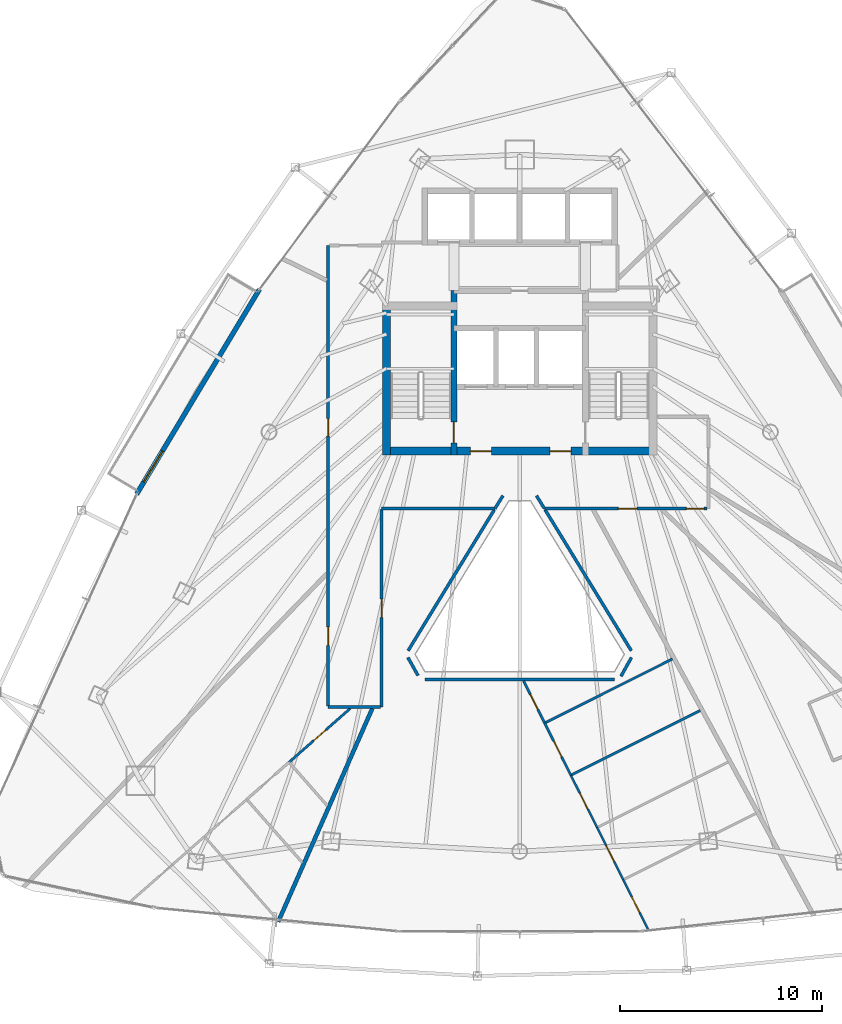
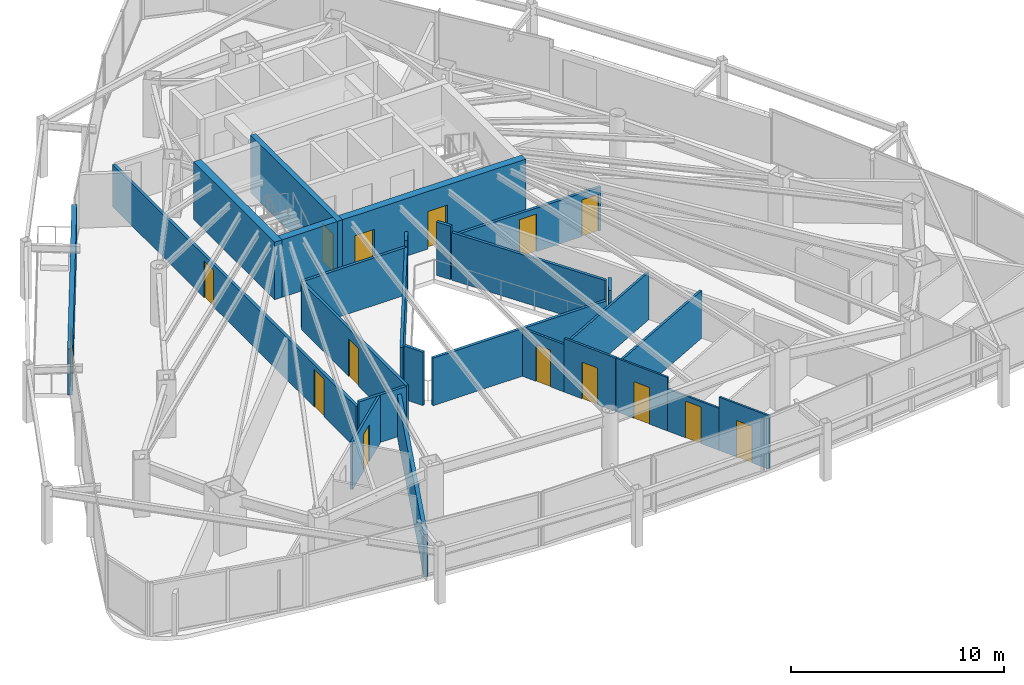
# One storey, part 26 of 31: 25 walls, 15 doors, 15 openings.
"""IFC4 building model written with IfcOpenShell, lengths in metres."""

from ifc_helpers import new_model, si_unit, direction, frame, frame_2d, origin, place, context, subcontext, project, spatial, rectangle, extrude, material, layer, layer_set, type_object, element, fill, save


model = new_model("IFC4")

# Units and contexts
model_context = context("Model", 3, precision=1e-05, world=origin(), true_north=direction((0.0, 1.0)))
body_context = subcontext(model_context, "Body", "Model", "MODEL_VIEW")
ifc_project = project(units=[si_unit("LENGTHUNIT", "METRE"), si_unit("AREAUNIT", "SQUARE_METRE"), si_unit("VOLUMEUNIT", "CUBIC_METRE"), si_unit("PLANEANGLEUNIT", "RADIAN"), si_unit("MASSUNIT", "GRAM", prefix="KILO")], contexts=[model_context])

# Site, building, storey
site_placement = place(None, origin())
site = spatial("IfcSite", under=ifc_project, at=site_placement, CompositionType="ELEMENT")
building_placement = place(site_placement, origin())
building = spatial("IfcBuilding", under=site, at=building_placement, Name="Orvanel Arch Residences", CompositionType="ELEMENT")
storey_placement = place(building_placement, frame((0.0, 0.0, 110.0)))
storey = spatial("IfcBuildingStorey", under=building, at=storey_placement, Name="L30", CompositionType="ELEMENT", Elevation=110.0)

# Wall, opening, door
ifc_material_1 = material(Name="Precast concrete N50 (50 MPa)", Category="concrete")
ifc_layer_1 = layer(ifc_material_1, 0.239990234375)
ifc_layer_set_1 = layer_set([ifc_layer_1], Name="Precast concrete N50 (50 MPa)")
wall_type_1 = type_object("IfcWallType", Name="EW-BAL-240", PredefinedType="SOLIDWALL", material=ifc_layer_set_1)
wall_1_placement = place(storey_placement, frame((20.094970703125, 34.718017578125, 0.0), z_axis=(0.0, 0.0, 1.0), x_axis=(-0.514362369366, -0.857572943242, 0.0)))
wall_1 = element("IfcWall", 1, at=wall_1_placement, inside=storey, type_object=wall_type_1, Name="L30 Balcony Threshold Wall Face 1", PredefinedType="SOLIDWALL", context=body_context, shape_type="SweptSolid", body=[
    extrude(rectangle(XDim=11.84375, YDim=0.239990234375, at=frame_2d((5.921875, 0.0))), origin(), (0.0, 0.0, 1.0), 2.6240234375),
])
opening_1_placement = place(wall_1_placement, frame((9.345947265625, 0.0, 0.0)))
opening_1 = element("IfcOpeningElement", 2, at=opening_1_placement, cuts=wall_1, Name="Opening DB-180", PredefinedType="OPENING", context=body_context, shape_type="SweptSolid", body=[
    extrude(rectangle(XDim=1.800048828125, YDim=2.199951171875, at=frame_2d((0.89990234375, 1.10009765625))), frame((0.0, 0.1298828125, 0.0), z_axis=(0.0, -1.0, 0.0), x_axis=(1.0, 0.0, 0.0)), (0.0, 0.0, 1.0), 0.260009765625),
])
ifc_material_2 = material(Name="Bronze-anodised aluminium AA6063-T6", Category="aluminium")
door_type_1 = type_object("IfcDoorType", Name="DR-BAL-1800", OperationType="NOTDEFINED", PredefinedType="DOOR", material=ifc_material_2)
door_1_placement = place(opening_1_placement, origin())
door_1 = element("IfcDoor", 3, at=door_1_placement, inside=storey, type_object=door_type_1, Name="DR-L30-BAL-F1 L30 Planted Balcony Access Door Face 1", OperationType="SINGLE_SWING_RIGHT", OverallHeight=2.199951171875, OverallWidth=1.800048828125, PredefinedType="DOOR", context=body_context, shape_type="SweptSolid", body=[
    extrude(rectangle(XDim=1.800048828125, YDim=2.199951171875, at=frame_2d((0.89990234375, 1.10009765625))), frame((0.0, 0.02490234375, 0.0), z_axis=(0.0, -1.0, 0.0), x_axis=(1.0, 0.0, 0.0)), (0.0, 0.0, 1.0), 0.050048828125),
])
fill(opening_1, door_1)

ifc_material_3 = material(Name="Concrete S65 (65 MPa)", Category="concrete")
ifc_layer_2 = layer(ifc_material_3, 0.280029296875)
ifc_layer_set_2 = layer_set([ifc_layer_2], Name="Concrete S65 (65 MPa)")
wall_type_2 = type_object("IfcWallType", Name="SW-CORE-280", PredefinedType="SHEAR", material=ifc_layer_set_2)
wall_2_placement = place(storey_placement, frame((29.739990234375, 26.5, 0.0), z_axis=(0.0, 0.0, 1.0), x_axis=(0.0, 1.0, 0.0)))
wall_2 = element("IfcWall", 4, at=wall_2_placement, inside=storey, type_object=wall_type_2, Name="L30 West Inner Core Spine Shear Wall", PredefinedType="SHEAR", context=body_context, shape_type="SweptSolid", body=[
    extrude(rectangle(XDim=8.14990234375, YDim=0.280029296875, at=frame_2d((4.074951171875, 0.0))), origin(), (0.0, 0.0, 1.0), 3.300048828125),
])
opening_2_placement = place(wall_2_placement, frame((0.60009765625, 0.0, 0.0)))
opening_2 = element("IfcOpeningElement", 5, at=opening_2_placement, cuts=wall_2, Name="Opening DF-120", PredefinedType="OPENING", context=body_context, shape_type="SweptSolid", body=[
    extrude(rectangle(XDim=1.050048828125, YDim=2.14990234375, at=frame_2d((0.52490234375, 1.074951171875))), frame((0.0, 0.14990234375, 0.0), z_axis=(0.0, -1.0, 0.0), x_axis=(1.0, 0.0, 0.0)), (0.0, 0.0, 1.0), 0.300048828125),
])
ifc_material_4 = material(Name="Galvanised steel fire-resisting door assembly", Category="steel")
door_type_2 = type_object("IfcDoorType", Name="DR-FD120-1050", OperationType="NOTDEFINED", PredefinedType="DOOR", material=ifc_material_4)
door_2_placement = place(opening_2_placement, origin())
door_2 = element("IfcDoor", 6, at=door_2_placement, inside=storey, type_object=door_type_2, Name="DR-L30-ST1 L30 Stair 1 Fire Door", OperationType="SINGLE_SWING_LEFT", OverallHeight=2.14990234375, OverallWidth=1.050048828125, PredefinedType="DOOR", context=body_context, shape_type="SweptSolid", body=[
    extrude(rectangle(XDim=1.050048828125, YDim=2.14990234375, at=frame_2d((0.52490234375, 1.074951171875))), frame((0.0, 0.02490234375, 0.0), z_axis=(0.0, -1.0, 0.0), x_axis=(1.0, 0.0, 0.0)), (0.0, 0.0, 1.0), 0.050048828125),
])
fill(opening_2, door_2)

# Wall, openings, doors
ifc_layer_3 = layer(ifc_material_3, 0.39990234375)
ifc_layer_set_3 = layer_set([ifc_layer_3], Name="Concrete S65 (65 MPa)")
wall_type_3 = type_object("IfcWallType", Name="SW-CORE-400", PredefinedType="SHEAR", material=ifc_layer_set_3)
wall_3_placement = place(storey_placement, frame((26.199951171875, 26.699951171875, 0.0), z_axis=(0.0, 0.0, 1.0), x_axis=(1.0, 0.0, 0.0)))
wall_3 = element("IfcWall", 7, at=wall_3_placement, inside=storey, type_object=wall_type_3, Name="L30 South Core Shear Wall", PredefinedType="SHEAR", context=body_context, shape_type="SweptSolid", body=[
    extrude(rectangle(XDim=13.60009765625, YDim=0.39990234375, at=frame_2d((6.800048828125, 0.0))), origin(), (0.0, 0.0, 1.0), 3.300048828125),
])
opening_3_placement = place(wall_3_placement, frame((4.35009765625, 0.0, 0.0)))
opening_3 = element("IfcOpeningElement", 8, at=opening_3_placement, cuts=wall_3, Name="Opening DF-060", PredefinedType="OPENING", context=body_context, shape_type="SweptSolid", body=[
    extrude(rectangle(XDim=1.050048828125, YDim=2.14990234375, at=frame_2d((0.52490234375, 1.074951171875))), frame((0.0, 0.2099609375, 0.0), z_axis=(0.0, -1.0, 0.0), x_axis=(1.0, 0.0, 0.0)), (0.0, 0.0, 1.0), 0.419921875),
])
opening_4_placement = place(wall_3_placement, frame((8.300048828125, 0.0, 0.0)))
opening_4 = element("IfcOpeningElement", 9, at=opening_4_placement, cuts=wall_3, Name="Opening DF-060", PredefinedType="OPENING", context=body_context, shape_type="SweptSolid", body=[
    extrude(rectangle(XDim=1.050048828125, YDim=2.14990234375, at=frame_2d((0.52490234375, 1.074951171875))), frame((0.0, 0.2099609375, 0.0), z_axis=(0.0, -1.0, 0.0), x_axis=(1.0, 0.0, 0.0)), (0.0, 0.0, 1.0), 0.419921875),
])
door_type_3 = type_object("IfcDoorType", Name="DR-FD60-1050", OperationType="NOTDEFINED", PredefinedType="DOOR", material=ifc_material_4)
door_3_placement = place(opening_3_placement, origin())
door_3 = element("IfcDoor", 10, at=door_3_placement, inside=storey, type_object=door_type_3, Name="DR-L30-FFL-W L30 West Smoke Lobby Door", OperationType="SINGLE_SWING_LEFT", OverallHeight=2.14990234375, OverallWidth=1.050048828125, PredefinedType="DOOR", context=body_context, shape_type="SweptSolid", body=[
    extrude(rectangle(XDim=1.050048828125, YDim=2.14990234375, at=frame_2d((0.52490234375, 1.074951171875))), frame((0.0, 0.02490234375, 0.0), z_axis=(0.0, -1.0, 0.0), x_axis=(1.0, 0.0, 0.0)), (0.0, 0.0, 1.0), 0.050048828125),
])
fill(opening_3, door_3)
door_4_placement = place(opening_4_placement, origin())
door_4 = element("IfcDoor", 11, at=door_4_placement, inside=storey, type_object=door_type_3, Name="DR-L30-FFL-E L30 East Smoke Lobby Door", OperationType="SINGLE_SWING_RIGHT", OverallHeight=2.14990234375, OverallWidth=1.050048828125, PredefinedType="DOOR", context=body_context, shape_type="SweptSolid", body=[
    extrude(rectangle(XDim=1.050048828125, YDim=2.14990234375, at=frame_2d((0.52490234375, 1.074951171875))), frame((0.0, 0.02490234375, 0.0), z_axis=(0.0, -1.0, 0.0), x_axis=(1.0, 0.0, 0.0)), (0.0, 0.0, 1.0), 0.050048828125),
])
fill(opening_4, door_4)

# Walls
wall_4_placement = place(storey_placement, frame((26.39990234375, 26.5, 0.0), z_axis=(0.0, 0.0, 1.0), x_axis=(0.0, 1.0, 0.0)))
element("IfcWall", 12, at=wall_4_placement, inside=storey, type_object=wall_type_3, Name="L30 West Stair Shear Wall", PredefinedType="SHEAR", context=body_context, shape_type="SweptSolid", body=[
    extrude(rectangle(XDim=7.60009765625, YDim=0.39990234375, at=frame_2d((3.800048828125, 0.0))), origin(), (0.0, 0.0, 1.0), 3.300048828125),
])
ifc_material_5 = material(Name="Fire-rated plasterboard lined steel stud partition", Category="steel")
ifc_layer_4 = layer(ifc_material_5, 0.14990234375)
ifc_layer_set_4 = layer_set([ifc_layer_4], Name="Fire-rated plasterboard lined steel stud partition")
wall_type_4 = type_object("IfcWallType", Name="W-COR-150", PredefinedType="PARTITIONING", material=ifc_layer_set_4)
wall_5_placement = place(storey_placement, frame((32.169921875, 24.487060546875, 0.0), z_axis=(0.0, 0.0, 1.0), x_axis=(-0.527038486816, -0.849841416627, 0.0)))
element("IfcWall", 13, at=wall_5_placement, inside=storey, type_object=wall_type_4, Name="L30 Corridor Fire-Rated Partition", PredefinedType="PARTITIONING", context=body_context, shape_type="SweptSolid", body=[
    extrude(rectangle(XDim=0.74951171875, YDim=0.14990234375, at=frame_2d((0.374755859375, 0.0))), origin(), (0.0, 0.0, 1.0), 3.06005859375),
])
wall_6_placement = place(storey_placement, frame((31.77490234375, 23.85009765625, 0.0), z_axis=(0.0, 0.0, 1.0), x_axis=(-1.0, 0.0, 0.0)))
element("IfcWall", 14, at=wall_6_placement, inside=storey, type_object=wall_type_4, Name="L30 Corridor Fire-Rated Partition", PredefinedType="PARTITIONING", context=body_context, shape_type="SweptSolid", body=[
    extrude(rectangle(XDim=5.625, YDim=0.14990234375, at=frame_2d((2.8125, 0.0))), origin(), (0.0, 0.0, 1.0), 2.720947265625),
])

# Wall, opening, door
wall_7_placement = place(storey_placement, frame((26.14990234375, 23.7900390625, 0.0), z_axis=(0.0, 0.0, 1.0), x_axis=(0.0, -1.0, 0.0)))
wall_7 = element("IfcWall", 15, at=wall_7_placement, inside=storey, type_object=wall_type_4, Name="L30 Corridor Fire-Rated Partition", PredefinedType="PARTITIONING", context=body_context, shape_type="SweptSolid", body=[
    extrude(rectangle(XDim=9.7900390625, YDim=0.14990234375, at=frame_2d((4.89501953125, 0.0))), origin(), (0.0, 0.0, 1.0), 2.720947265625),
])
opening_5_placement = place(wall_7_placement, frame((4.43505859375, 0.0, 0.0)))
opening_5 = element("IfcOpeningElement", 16, at=opening_5_placement, cuts=wall_7, Name="Opening DA-092", PredefinedType="OPENING", context=body_context, shape_type="SweptSolid", body=[
    extrude(rectangle(XDim=0.919921875, YDim=2.14990234375, at=frame_2d((0.4599609375, 1.074951171875))), frame((0.0, 0.0849609375, 0.0), z_axis=(0.0, -1.0, 0.0), x_axis=(1.0, 0.0, 0.0)), (0.0, 0.0, 1.0), 0.169921875),
])
ifc_material_6 = material(Name="Solid-core European oak veneer fire door leaf", Category="wood")
door_type_4 = type_object("IfcDoorType", Name="DR-APT-920", OperationType="NOTDEFINED", PredefinedType="DOOR", material=ifc_material_6)
door_5_placement = place(opening_5_placement, origin())
door_5 = element("IfcDoor", 17, at=door_5_placement, inside=storey, type_object=door_type_4, Name="DR-L30-A-ENT L30 Studio A Entrance Door", OperationType="SINGLE_SWING_RIGHT", OverallHeight=2.14990234375, OverallWidth=0.919921875, PredefinedType="DOOR", context=body_context, shape_type="SweptSolid", body=[
    extrude(rectangle(XDim=0.919921875, YDim=2.14990234375, at=frame_2d((0.4599609375, 1.074951171875))), frame((0.0, 0.02490234375, 0.0), z_axis=(0.0, -1.0, 0.0), x_axis=(1.0, 0.0, 0.0)), (0.0, 0.0, 1.0), 0.050048828125),
])
fill(opening_5, door_5)

# Wall
wall_8_placement = place(storey_placement, frame((26.090087890625, 14.0, 0.0), z_axis=(0.0, 0.0, 1.0), x_axis=(-1.0, 0.0, 0.0)))
element("IfcWall", 18, at=wall_8_placement, inside=storey, type_object=wall_type_4, Name="L30 Corridor Fire-Rated Partition", PredefinedType="PARTITIONING", context=body_context, shape_type="SweptSolid", body=[
    extrude(rectangle(XDim=2.590087890625, YDim=0.14990234375, at=frame_2d((1.294921875, 0.0))), origin(), (0.0, 0.0, 1.0), 2.720947265625),
])

# Wall, openings, doors
wall_9_placement = place(storey_placement, frame((23.5, 14.06005859375, 0.0), z_axis=(0.0, 0.0, 1.0), x_axis=(0.0, 1.0, 0.0)))
wall_9 = element("IfcWall", 19, at=wall_9_placement, inside=storey, type_object=wall_type_4, Name="L30 Corridor Fire-Rated Partition", PredefinedType="PARTITIONING", context=body_context, shape_type="SweptSolid", body=[
    extrude(rectangle(XDim=22.83984375, YDim=0.14990234375, at=frame_2d((11.419921875, 0.0))), origin(), (0.0, 0.0, 1.0), 2.4130859375),
])
opening_6_placement = place(wall_9_placement, frame((13.373046875, 0.0, 0.0)))
opening_6 = element("IfcOpeningElement", 20, at=opening_6_placement, cuts=wall_9, Name="Opening DI-088", PredefinedType="OPENING", context=body_context, shape_type="SweptSolid", body=[
    extrude(rectangle(XDim=0.8798828125, YDim=2.10009765625, at=frame_2d((0.43994140625, 1.050048828125))), frame((0.0, 0.0849609375, 0.0), z_axis=(0.0, -1.0, 0.0), x_axis=(1.0, 0.0, 0.0)), (0.0, 0.0, 1.0), 0.169921875),
])
opening_7_placement = place(wall_9_placement, frame((3.001953125, 0.0, 0.0)))
opening_7 = element("IfcOpeningElement", 21, at=opening_7_placement, cuts=wall_9, Name="Opening DA-092", PredefinedType="OPENING", context=body_context, shape_type="SweptSolid", body=[
    extrude(rectangle(XDim=0.919921875, YDim=2.14990234375, at=frame_2d((0.4599609375, 1.074951171875))), frame((0.0, 0.0849609375, 0.0), z_axis=(0.0, -1.0, 0.0), x_axis=(1.0, 0.0, 0.0)), (0.0, 0.0, 1.0), 0.169921875),
])
door_6_placement = place(opening_7_placement, origin())
door_6 = element("IfcDoor", 22, at=door_6_placement, inside=storey, type_object=door_type_4, Name="DR-L30-E-ENT L30 Flat E Entrance Door", OperationType="SINGLE_SWING_RIGHT", OverallHeight=2.14990234375, OverallWidth=0.919921875, PredefinedType="DOOR", context=body_context, shape_type="SweptSolid", body=[
    extrude(rectangle(XDim=0.919921875, YDim=2.14990234375, at=frame_2d((0.4599609375, 1.074951171875))), frame((0.0, 0.02490234375, 0.0), z_axis=(0.0, -1.0, 0.0), x_axis=(1.0, 0.0, 0.0)), (0.0, 0.0, 1.0), 0.050048828125),
])
fill(opening_7, door_6)
door_type_5 = type_object("IfcDoorType", Name="DR-INT-880", OperationType="NOTDEFINED", PredefinedType="DOOR", material=ifc_material_6)
door_7_placement = place(opening_6_placement, origin())
door_7 = element("IfcDoor", 23, at=door_7_placement, inside=storey, type_object=door_type_5, Name="DR-L30-SHRD-FB2 L30 Co-Working Study Office B Door", OperationType="SINGLE_SWING_LEFT", OverallHeight=2.10009765625, OverallWidth=0.8798828125, PredefinedType="DOOR", context=body_context, shape_type="SweptSolid", body=[
    extrude(rectangle(XDim=0.8798828125, YDim=2.10009765625, at=frame_2d((0.43994140625, 1.050048828125))), frame((0.0, 0.02490234375, 0.0), z_axis=(0.0, -1.0, 0.0), x_axis=(1.0, 0.0, 0.0)), (0.0, 0.0, 1.0), 0.050048828125),
])
fill(opening_6, door_7)

wall_10_placement = place(storey_placement, frame((42.2900390625, 23.85009765625, 0.0), z_axis=(0.0, 0.0, 1.0), x_axis=(-1.0, 0.0, 0.0)))
wall_10 = element("IfcWall", 24, at=wall_10_placement, inside=storey, type_object=wall_type_4, Name="L30 Corridor Fire-Rated Partition", PredefinedType="PARTITIONING", context=body_context, shape_type="SweptSolid", body=[
    extrude(rectangle(XDim=8.06494140625, YDim=0.14990234375, at=frame_2d((4.032470703125, 0.0))), origin(), (0.0, 0.0, 1.0), 2.491943359375),
])
opening_8_placement = place(wall_10_placement, frame((3.47705078125, 0.0, 0.0)))
opening_8 = element("IfcOpeningElement", 25, at=opening_8_placement, cuts=wall_10, Name="Opening DA-092", PredefinedType="OPENING", context=body_context, shape_type="SweptSolid", body=[
    extrude(rectangle(XDim=0.919921875, YDim=2.14990234375, at=frame_2d((0.4599609375, 1.074951171875))), frame((0.0, 0.0849609375, 0.0), z_axis=(0.0, -1.0, 0.0), x_axis=(1.0, 0.0, 0.0)), (0.0, 0.0, 1.0), 0.169921875),
])
opening_9_placement = place(wall_10_placement, frame((0.139892578125, 0.0, 0.0)))
opening_9 = element("IfcOpeningElement", 26, at=opening_9_placement, cuts=wall_10, Name="Opening DI-088", PredefinedType="OPENING", context=body_context, shape_type="SweptSolid", body=[
    extrude(rectangle(XDim=0.8798828125, YDim=2.10009765625, at=frame_2d((0.43994140625, 1.050048828125))), frame((0.0, 0.0849609375, 0.0), z_axis=(0.0, -1.0, 0.0), x_axis=(1.0, 0.0, 0.0)), (0.0, 0.0, 1.0), 0.169921875),
])
door_8_placement = place(opening_8_placement, origin())
door_8 = element("IfcDoor", 27, at=door_8_placement, inside=storey, type_object=door_type_4, Name="DR-L30-C-ENT L30 Studio C Entrance Door", OperationType="SINGLE_SWING_RIGHT", OverallHeight=2.14990234375, OverallWidth=0.919921875, PredefinedType="DOOR", context=body_context, shape_type="SweptSolid", body=[
    extrude(rectangle(XDim=0.919921875, YDim=2.14990234375, at=frame_2d((0.4599609375, 1.074951171875))), frame((0.0, 0.02490234375, 0.0), z_axis=(0.0, -1.0, 0.0), x_axis=(1.0, 0.0, 0.0)), (0.0, 0.0, 1.0), 0.050048828125),
])
fill(opening_8, door_8)
door_9_placement = place(opening_9_placement, origin())
door_9 = element("IfcDoor", 28, at=door_9_placement, inside=storey, type_object=door_type_5, Name="DR-L30-SHRD-FB7 L30 Co-Working Study Office G Door", OperationType="SINGLE_SWING_LEFT", OverallHeight=2.10009765625, OverallWidth=0.8798828125, PredefinedType="DOOR", context=body_context, shape_type="SweptSolid", body=[
    extrude(rectangle(XDim=0.8798828125, YDim=2.10009765625, at=frame_2d((0.43994140625, 1.050048828125))), frame((0.0, 0.02490234375, 0.0), z_axis=(0.0, -1.0, 0.0), x_axis=(1.0, 0.0, 0.0)), (0.0, 0.0, 1.0), 0.050048828125),
])
fill(opening_9, door_9)

# Walls
wall_11_placement = place(storey_placement, frame((34.22509765625, 23.85107421875, 0.0), z_axis=(0.0, 0.0, 1.0), x_axis=(-0.527622593928, 0.849478898135, 0.0)))
element("IfcWall", 29, at=wall_11_placement, inside=storey, type_object=wall_type_4, Name="L30 Corridor Fire-Rated Partition", PredefinedType="PARTITIONING", context=body_context, shape_type="SweptSolid", body=[
    extrude(rectangle(XDim=0.748779296875, YDim=0.14990234375, at=frame_2d((0.37451171875, 0.0))), origin(), (0.0, 0.0, 1.0), 3.06005859375),
])
wall_12_placement = place(storey_placement, frame((34.257080078125, 23.7900390625, 0.0), z_axis=(0.0, 0.0, 1.0), x_axis=(0.521839061235, -0.853043957935, 0.0)))
element("IfcWall", 30, at=wall_12_placement, inside=storey, type_object=wall_type_4, Name="L30 Atrium Overlook Glazed Partition", PredefinedType="PARTITIONING", context=body_context, shape_type="SweptSolid", body=[
    extrude(rectangle(XDim=8.197509765625, YDim=0.14990234375, at=frame_2d((4.0986328125, 0.0))), origin(), (0.0, 0.0, 1.0), 2.720947265625),
])
wall_13_placement = place(storey_placement, frame((38.541015625, 16.4609375, 0.0), z_axis=(0.0, 0.0, 1.0), x_axis=(-0.488631416095, -0.872490308946, 0.0)))
element("IfcWall", 31, at=wall_13_placement, inside=storey, type_object=wall_type_4, Name="L30 Atrium Overlook Glazed Partition", PredefinedType="PARTITIONING", context=body_context, shape_type="SweptSolid", body=[
    extrude(rectangle(XDim=1.060302734375, YDim=0.14990234375, at=frame_2d((0.5302734375, 0.0))), origin(), (0.0, 0.0, 1.0), 3.06005859375),
])
wall_14_placement = place(storey_placement, frame((37.694091796875, 15.364013671875, 0.0), z_axis=(0.0, 0.0, 1.0), x_axis=(-1.0, 0.0, 0.0)))
element("IfcWall", 32, at=wall_14_placement, inside=storey, type_object=wall_type_4, Name="L30 Atrium Overlook Glazed Partition", PredefinedType="PARTITIONING", context=body_context, shape_type="SweptSolid", body=[
    extrude(rectangle(XDim=9.38818359375, YDim=0.14990234375, at=frame_2d((4.694091796875, 0.0))), origin(), (0.0, 0.0, 1.0), 2.720947265625),
])
wall_15_placement = place(storey_placement, frame((27.95703125, 15.568115234375, 0.0), z_axis=(0.0, 0.0, 1.0), x_axis=(-0.487162890713, 0.873311123204, 0.0)))
element("IfcWall", 33, at=wall_15_placement, inside=storey, type_object=wall_type_4, Name="L30 Atrium Overlook Glazed Partition", PredefinedType="PARTITIONING", context=body_context, shape_type="SweptSolid", body=[
    extrude(rectangle(XDim=1.0224609375, YDim=0.14990234375, at=frame_2d((0.51123046875, 0.0))), origin(), (0.0, 0.0, 1.0), 3.06005859375),
])
wall_16_placement = place(storey_placement, frame((27.465087890625, 16.797119140625, 0.0), z_axis=(0.0, 0.0, 1.0), x_axis=(0.521839061235, 0.853043957935, 0.0)))
element("IfcWall", 34, at=wall_16_placement, inside=storey, type_object=wall_type_4, Name="L30 Atrium Overlook Glazed Partition", PredefinedType="PARTITIONING", context=body_context, shape_type="SweptSolid", body=[
    extrude(rectangle(XDim=8.197509765625, YDim=0.14990234375, at=frame_2d((4.0986328125, 0.0))), origin(), (0.0, 0.0, 1.0), 2.720947265625),
])
ifc_layer_5 = layer(ifc_material_5, 0.199951171875)
ifc_layer_set_5 = layer_set([ifc_layer_5], Name="Fire-rated plasterboard lined steel stud partition")
wall_type_5 = type_object("IfcWallType", Name="W-DEM-200", PredefinedType="PARTITIONING", material=ifc_layer_set_5)
wall_17_placement = place(storey_placement, frame((21.02392578125, 3.35302734375, 0.0), z_axis=(0.0, 0.0, 1.0), x_axis=(0.403601766718, 0.914934759369, 0.0)))
element("IfcWall", 35, at=wall_17_placement, inside=storey, type_object=wall_type_5, Name="L30 Inter-Tenancy Acoustic Demising Wall", PredefinedType="PARTITIONING", context=body_context, shape_type="SweptSolid", body=[
    extrude(rectangle(XDim=11.5712890625, YDim=0.199951171875, at=frame_2d((5.78564453125, 0.0))), origin(), (0.0, 0.0, 1.0), 2.4130859375),
])

# Wall, opening, door
ifc_material_7 = material(Name="Acoustic plasterboard lined twin-stud partition", Category="gypsum")
ifc_layer_6 = layer(ifc_material_7, 0.10009765625)
ifc_layer_set_6 = layer_set([ifc_layer_6], Name="Acoustic plasterboard lined twin-stud partition")
wall_type_6 = type_object("IfcWallType", Name="W-INT-100", PredefinedType="PARTITIONING", material=ifc_layer_set_6)
wall_18_placement = place(storey_placement, frame((38.134033203125, 5.43701171875, 0.0), z_axis=(0.0, 0.0, 1.0), x_axis=(0.447768773835, -0.894149386388, 0.0)))
wall_18 = element("IfcWall", 36, at=wall_18_placement, inside=storey, type_object=wall_type_6, Name="L30 Studio A Internal Partition", PredefinedType="PARTITIONING", context=body_context, shape_type="SweptSolid", body=[
    extrude(rectangle(XDim=2.81396484375, YDim=0.10009765625, at=frame_2d((1.406982421875, 0.0))), origin(), (0.0, 0.0, 1.0), 3.06005859375),
])
opening_10_placement = place(wall_18_placement, frame((0.967041015625, 0.0, 0.0)))
opening_10 = element("IfcOpeningElement", 37, at=opening_10_placement, cuts=wall_18, Name="Opening DI-088", PredefinedType="OPENING", context=body_context, shape_type="SweptSolid", body=[
    extrude(rectangle(XDim=0.8798828125, YDim=2.10009765625, at=frame_2d((0.43994140625, 1.050048828125))), frame((0.0, 0.06005859375, 0.0), z_axis=(0.0, -1.0, 0.0), x_axis=(1.0, 0.0, 0.0)), (0.0, 0.0, 1.0), 0.1201171875),
])
door_10_placement = place(opening_10_placement, origin())
door_10 = element("IfcDoor", 38, at=door_10_placement, inside=storey, type_object=door_type_5, Name="DR-L30-A-WRD1 L30 Studio A Walk-In Wardrobe 1 Door", OperationType="SINGLE_SWING_LEFT", OverallHeight=2.10009765625, OverallWidth=0.8798828125, PredefinedType="DOOR", context=body_context, shape_type="SweptSolid", body=[
    extrude(rectangle(XDim=0.8798828125, YDim=2.10009765625, at=frame_2d((0.43994140625, 1.050048828125))), frame((0.0, 0.02490234375, 0.0), z_axis=(0.0, -1.0, 0.0), x_axis=(1.0, 0.0, 0.0)), (0.0, 0.0, 1.0), 0.050048828125),
])
fill(opening_10, door_10)

wall_19_placement = place(storey_placement, frame((36.8359375, 8.030029296875, 0.0), z_axis=(0.0, 0.0, 1.0), x_axis=(0.447651342751, -0.894208183441, 0.0)))
wall_19 = element("IfcWall", 39, at=wall_19_placement, inside=storey, type_object=wall_type_6, Name="L30 Studio A Internal Partition", PredefinedType="PARTITIONING", context=body_context, shape_type="SweptSolid", body=[
    extrude(rectangle(XDim=2.89990234375, YDim=0.10009765625, at=frame_2d((1.449951171875, 0.0))), origin(), (0.0, 0.0, 1.0), 2.4130859375),
])
opening_11_placement = place(wall_19_placement, frame((1.010009765625, 0.0, 0.0)))
opening_11 = element("IfcOpeningElement", 40, at=opening_11_placement, cuts=wall_19, Name="Opening DI-088", PredefinedType="OPENING", context=body_context, shape_type="SweptSolid", body=[
    extrude(rectangle(XDim=0.8798828125, YDim=2.10009765625, at=frame_2d((0.43994140625, 1.050048828125))), frame((0.0, 0.06005859375, 0.0), z_axis=(0.0, -1.0, 0.0), x_axis=(1.0, 0.0, 0.0)), (0.0, 0.0, 1.0), 0.1201171875),
])
door_11_placement = place(opening_11_placement, origin())
door_11 = element("IfcDoor", 41, at=door_11_placement, inside=storey, type_object=door_type_5, Name="DR-L30-A-WRD2 L30 Studio A Walk-In Wardrobe 2 Door", OperationType="SINGLE_SWING_LEFT", OverallHeight=2.10009765625, OverallWidth=0.8798828125, PredefinedType="DOOR", context=body_context, shape_type="SweptSolid", body=[
    extrude(rectangle(XDim=0.8798828125, YDim=2.10009765625, at=frame_2d((0.43994140625, 1.050048828125))), frame((0.0, 0.02490234375, 0.0), z_axis=(0.0, -1.0, 0.0), x_axis=(1.0, 0.0, 0.0)), (0.0, 0.0, 1.0), 0.050048828125),
])
fill(opening_11, door_11)

wall_20_placement = place(storey_placement, frame((35.537109375, 10.623046875, 0.0), z_axis=(0.0, 0.0, 1.0), x_axis=(0.447853271476, -0.894107066983, 0.0)))
wall_20 = element("IfcWall", 42, at=wall_20_placement, inside=storey, type_object=wall_type_6, Name="L30 Studio A Internal Partition", PredefinedType="PARTITIONING", context=body_context, shape_type="SweptSolid", body=[
    extrude(rectangle(XDim=2.900146484375, YDim=0.10009765625, at=frame_2d((1.4501953125, 0.0))), origin(), (0.0, 0.0, 1.0), 3.06005859375),
])
opening_12_placement = place(wall_20_placement, frame((1.010009765625, 0.0, 0.0)))
opening_12 = element("IfcOpeningElement", 43, at=opening_12_placement, cuts=wall_20, Name="Opening DI-088", PredefinedType="OPENING", context=body_context, shape_type="SweptSolid", body=[
    extrude(rectangle(XDim=0.8798828125, YDim=2.10009765625, at=frame_2d((0.43994140625, 1.050048828125))), frame((0.0, 0.06005859375, 0.0), z_axis=(0.0, -1.0, 0.0), x_axis=(1.0, 0.0, 0.0)), (0.0, 0.0, 1.0), 0.1201171875),
])
door_12_placement = place(opening_12_placement, origin())
door_12 = element("IfcDoor", 44, at=door_12_placement, inside=storey, type_object=door_type_5, Name="DR-L30-A-DIN3 L30 Studio A Dining Room 3 Door", OperationType="SINGLE_SWING_LEFT", OverallHeight=2.10009765625, OverallWidth=0.8798828125, PredefinedType="DOOR", context=body_context, shape_type="SweptSolid", body=[
    extrude(rectangle(XDim=0.8798828125, YDim=2.10009765625, at=frame_2d((0.43994140625, 1.050048828125))), frame((0.0, 0.02490234375, 0.0), z_axis=(0.0, -1.0, 0.0), x_axis=(1.0, 0.0, 0.0)), (0.0, 0.0, 1.0), 0.050048828125),
])
fill(opening_12, door_12)

ifc_layer_7 = layer(ifc_material_7, 0.1201171875)
ifc_layer_set_7 = layer_set([ifc_layer_7], Name="Acoustic plasterboard lined twin-stud partition")
wall_type_7 = type_object("IfcWallType", Name="W-WET-120", PredefinedType="PARTITIONING", material=ifc_layer_set_7)
wall_21_placement = place(storey_placement, frame((33.194091796875, 15.303955078125, 0.0), z_axis=(0.0, 0.0, 1.0), x_axis=(0.447548179666, -0.894259820677, 0.0)))
wall_21 = element("IfcWall", 45, at=wall_21_placement, inside=storey, type_object=wall_type_7, Name="L30 Studio A Bathroom Partition", PredefinedType="PARTITIONING", context=body_context, shape_type="SweptSolid", body=[
    extrude(rectangle(XDim=2.334716796875, YDim=0.1201171875, at=frame_2d((1.16748046875, 0.0))), origin(), (0.0, 0.0, 1.0), 2.720947265625),
])
opening_13_placement = place(wall_21_placement, frame((0.757080078125, 0.0, 0.0)))
opening_13 = element("IfcOpeningElement", 46, at=opening_13_placement, cuts=wall_21, Name="Opening DW-082", PredefinedType="OPENING", context=body_context, shape_type="SweptSolid", body=[
    extrude(rectangle(XDim=0.820068359375, YDim=2.10009765625, at=frame_2d((0.41015625, 1.050048828125))), frame((0.0, 0.070068359375, 0.0), z_axis=(0.0, -1.0, 0.0), x_axis=(1.0, 0.0, 0.0)), (0.0, 0.0, 1.0), 0.14013671875),
])
door_type_6 = type_object("IfcDoorType", Name="DR-WET-820", OperationType="NOTDEFINED", PredefinedType="DOOR", material=ifc_material_6)
door_13_placement = place(opening_13_placement, origin())
door_13 = element("IfcDoor", 47, at=door_13_placement, inside=storey, type_object=door_type_6, Name="DR-L30-A-BATH L30 Studio A Bathroom Door", OperationType="SINGLE_SWING_RIGHT", OverallHeight=2.10009765625, OverallWidth=0.820068359375, PredefinedType="DOOR", context=body_context, shape_type="SweptSolid", body=[
    extrude(rectangle(XDim=0.820068359375, YDim=2.10009765625, at=frame_2d((0.41015625, 1.050048828125))), frame((0.0, 0.02490234375, 0.0), z_axis=(0.0, -1.0, 0.0), x_axis=(1.0, 0.0, 0.0)), (0.0, 0.0, 1.0), 0.050048828125),
])
fill(opening_13, door_13)

wall_22_placement = place(storey_placement, frame((34.239013671875, 13.216064453125, 0.0), z_axis=(0.0, 0.0, 1.0), x_axis=(0.447651342751, -0.894208183441, 0.0)))
wall_22 = element("IfcWall", 48, at=wall_22_placement, inside=storey, type_object=wall_type_7, Name="L30 Studio A Internal Partition", PredefinedType="PARTITIONING", context=body_context, shape_type="SweptSolid", body=[
    extrude(rectangle(XDim=2.89990234375, YDim=0.1201171875, at=frame_2d((1.449951171875, 0.0))), origin(), (0.0, 0.0, 1.0), 3.06005859375),
])
opening_14_placement = place(wall_22_placement, frame((1.010009765625, 0.0, 0.0)))
opening_14 = element("IfcOpeningElement", 49, at=opening_14_placement, cuts=wall_22, Name="Opening DI-088", PredefinedType="OPENING", context=body_context, shape_type="SweptSolid", body=[
    extrude(rectangle(XDim=0.8798828125, YDim=2.10009765625, at=frame_2d((0.43994140625, 1.050048828125))), frame((0.0, 0.070068359375, 0.0), z_axis=(0.0, -1.0, 0.0), x_axis=(1.0, 0.0, 0.0)), (0.0, 0.0, 1.0), 0.14013671875),
])
door_14_placement = place(opening_14_placement, origin())
door_14 = element("IfcDoor", 50, at=door_14_placement, inside=storey, type_object=door_type_5, Name="DR-L30-A-KIT L30 Studio A Kitchenette Door", OperationType="SINGLE_SWING_LEFT", OverallHeight=2.10009765625, OverallWidth=0.8798828125, PredefinedType="DOOR", context=body_context, shape_type="SweptSolid", body=[
    extrude(rectangle(XDim=0.8798828125, YDim=2.10009765625, at=frame_2d((0.43994140625, 1.050048828125))), frame((0.0, 0.02490234375, 0.0), z_axis=(0.0, -1.0, 0.0), x_axis=(1.0, 0.0, 0.0)), (0.0, 0.0, 1.0), 0.050048828125),
])
fill(opening_14, door_14)

# Walls
wall_23_placement = place(storey_placement, frame((40.572021484375, 16.386962890625, 0.0), z_axis=(0.0, 0.0, 1.0), x_axis=(-0.894178861749, -0.447709909653, 0.0)))
element("IfcWall", 51, at=wall_23_placement, inside=storey, type_object=wall_type_7, Name="L30 Studio A Bathroom Partition", PredefinedType="PARTITIONING", context=body_context, shape_type="SweptSolid", body=[
    extrude(rectangle(XDim=7.08251953125, YDim=0.1201171875, at=frame_2d((3.541259765625, 0.0))), origin(), (0.0, 0.0, 1.0), 2.720947265625),
])
wall_24_placement = place(storey_placement, frame((41.95703125, 13.8369140625, 0.0), z_axis=(0.0, 0.0, 1.0), x_axis=(-0.894209449688, -0.447648813344, 0.0)))
element("IfcWall", 52, at=wall_24_placement, inside=storey, type_object=wall_type_7, Name="L30 Studio A Internal Partition", PredefinedType="PARTITIONING", context=body_context, shape_type="SweptSolid", body=[
    extrude(rectangle(XDim=7.179443359375, YDim=0.1201171875, at=frame_2d((3.58984375, 0.0))), origin(), (0.0, 0.0, 1.0), 2.720947265625),
])

# Wall, opening, door
wall_25_placement = place(storey_placement, frame((24.60400390625, 13.93994140625, 0.0), z_axis=(0.0, 0.0, 1.0), x_axis=(-0.751349767919, -0.659904179595, 0.0)))
wall_25 = element("IfcWall", 53, at=wall_25_placement, inside=storey, type_object=wall_type_7, Name="L30 Flat E Bathroom Partition", PredefinedType="PARTITIONING", context=body_context, shape_type="SweptSolid", body=[
    extrude(rectangle(XDim=4.04736328125, YDim=0.1201171875, at=frame_2d((2.023681640625, 0.0))), origin(), (0.0, 0.0, 1.0), 2.720947265625),
])
opening_15_placement = place(wall_25_placement, frame((1.614013671875, 0.0, 0.0)))
opening_15 = element("IfcOpeningElement", 54, at=opening_15_placement, cuts=wall_25, Name="Opening DW-082", PredefinedType="OPENING", context=body_context, shape_type="SweptSolid", body=[
    extrude(rectangle(XDim=0.820068359375, YDim=2.10009765625, at=frame_2d((0.41015625, 1.050048828125))), frame((0.0, 0.070068359375, 0.0), z_axis=(0.0, -1.0, 0.0), x_axis=(1.0, 0.0, 0.0)), (0.0, 0.0, 1.0), 0.14013671875),
])
door_15_placement = place(opening_15_placement, origin())
door_15 = element("IfcDoor", 55, at=door_15_placement, inside=storey, type_object=door_type_6, Name="DR-L30-E-BATH L30 Flat E Bathroom Door", OperationType="SINGLE_SWING_RIGHT", OverallHeight=2.10009765625, OverallWidth=0.820068359375, PredefinedType="DOOR", context=body_context, shape_type="SweptSolid", body=[
    extrude(rectangle(XDim=0.820068359375, YDim=2.10009765625, at=frame_2d((0.41015625, 1.050048828125))), frame((0.0, 0.02490234375, 0.0), z_axis=(0.0, -1.0, 0.0), x_axis=(1.0, 0.0, 0.0)), (0.0, 0.0, 1.0), 0.050048828125),
])
fill(opening_15, door_15)

save(model, "model.ifc")
